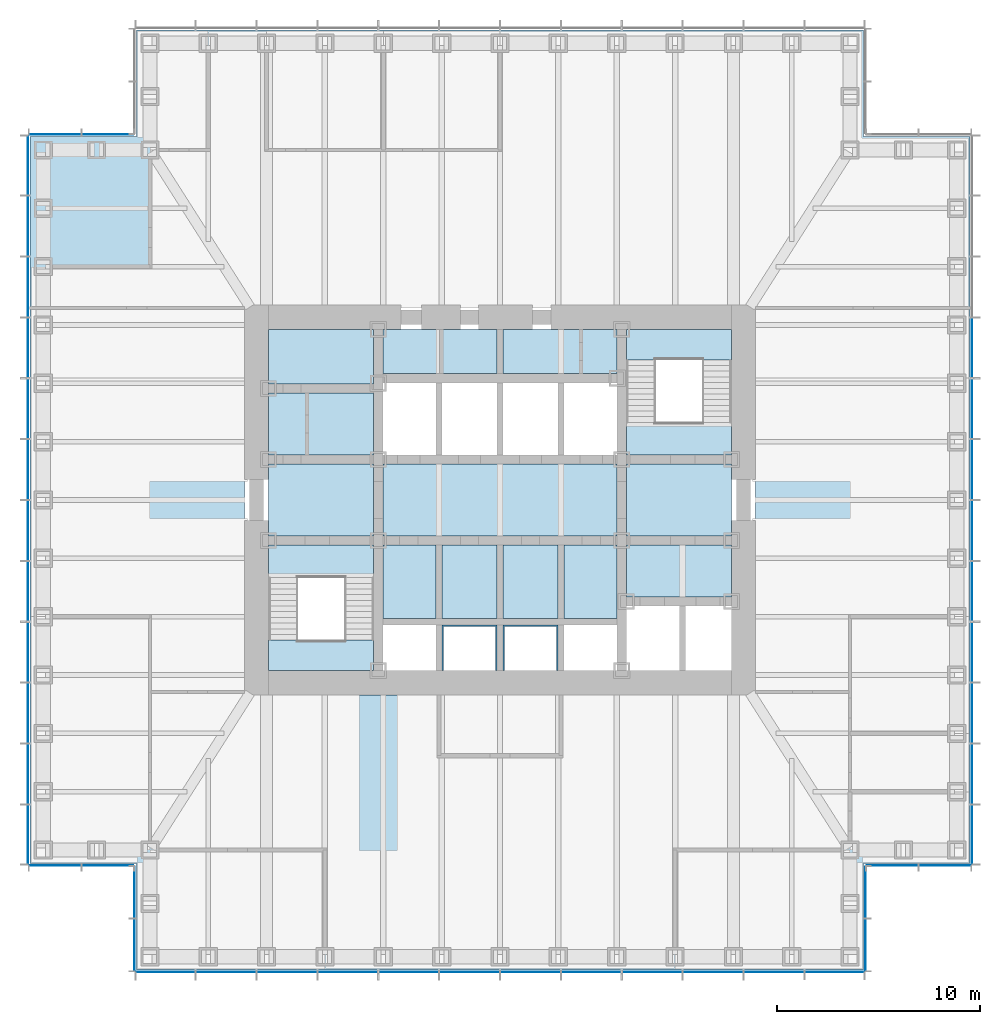
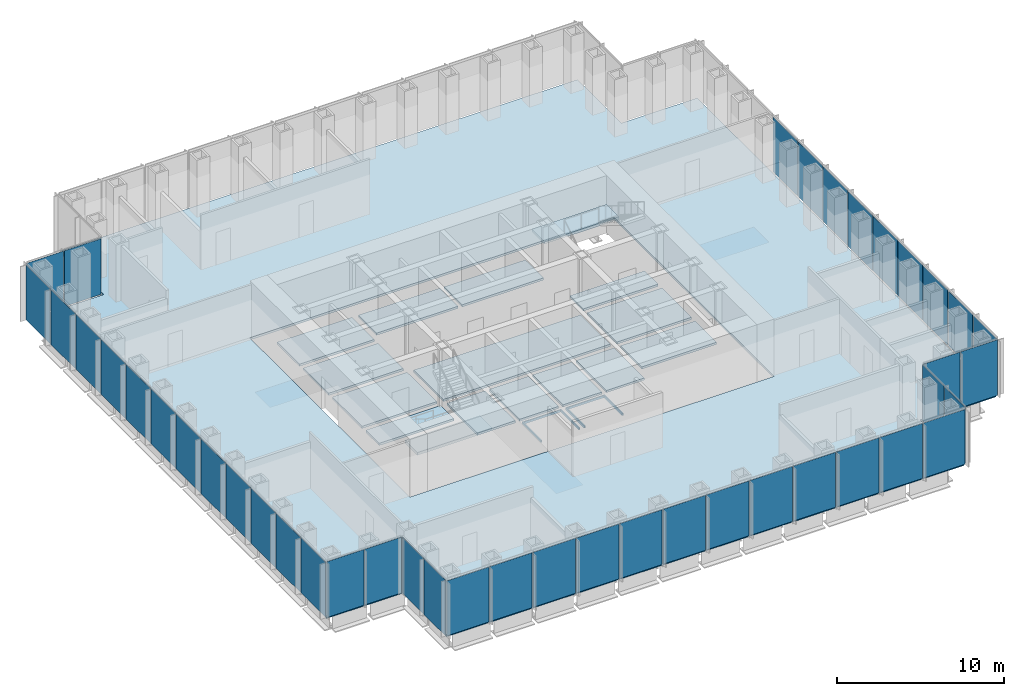
# One storey, part 7 of 16: 43 plates, 19 slabs, 10 elements without a shape of their own.
"""IFC4 building model written with IfcOpenShell, lengths in metres."""

from ifc_helpers import new_model, si_unit, direction, frame, origin, origin_2d, place, context, subcontext, project, spatial, polyline, rectangle, outline, extrude, material, layer, layer_set, type_object, element, aggregate, save


model = new_model("IFC4")

# Units and contexts
model_context = context("Model", 3, precision=1e-05, world=origin(), true_north=direction((0.0, 1.0)))
body_context = subcontext(model_context, "Body", "Model", "MODEL_VIEW")
ifc_project = project(units=[si_unit("LENGTHUNIT", "METRE"), si_unit("AREAUNIT", "SQUARE_METRE"), si_unit("VOLUMEUNIT", "CUBIC_METRE"), si_unit("PLANEANGLEUNIT", "RADIAN"), si_unit("MASSUNIT", "GRAM", prefix="KILO")], contexts=[model_context])

# Site, building, storey
site_placement = place(None, origin())
site = spatial("IfcSite", under=ifc_project, at=site_placement, CompositionType="ELEMENT")
building_placement = place(site_placement, origin())
building = spatial("IfcBuilding", under=site, at=building_placement, Name="Daluyong Arena Tower", CompositionType="ELEMENT")
storey_placement = place(building_placement, frame((0.0, 0.0, 141.699951171875)))
storey = spatial("IfcBuildingStorey", under=building, at=storey_placement, Name="L31", CompositionType="ELEMENT", Elevation=141.699951171875)

# Curtain wall, plates
ifc_material_1 = material(Name="Bronze anodised aluminium and glass", Category="aluminium")
curtain_wall_type_1 = type_object("IfcCurtainWallType", Name="Curtain wall CW2", PredefinedType="USERDEFINED", material=ifc_material_1)
curtain_wall_1_placement = place(storey_placement, origin())
curtain_wall_1 = element("IfcCurtainWall", 1, at=curtain_wall_1_placement, inside=storey, type_object=curtain_wall_type_1, Name="curtain wall L31 S", ObjectType="UNITISED CURTAIN WALL", PredefinedType="USERDEFINED")
ifc_material_2 = material(Name="Tinted double glazed unit", Category="glass")
ifc_layer_1 = layer(ifc_material_2, 0.031982421875)
ifc_layer_set_1 = layer_set([ifc_layer_1], Name="Tinted double glazed unit")
plate_type_1 = type_object("IfcPlateType", Name="CW2 panel 32", PredefinedType="CURTAIN_PANEL", material=ifc_layer_set_1)
plate_1_placement = place(storey_placement, frame((39.52001953125, 56.75, 0.0), z_axis=(0.0, 0.0, 1.0), x_axis=(1.0, 0.0, 0.0)))
plate_1 = element("IfcPlate", 2, at=plate_1_placement, type_object=plate_type_1, Name="curtain wall L31 S panel 1", PredefinedType="CURTAIN_PANEL", context=body_context, shape_type="SweptSolid", body=[
    extrude(rectangle(XDim=2.8798828125, YDim=0.031982421875, at=origin_2d()), origin(), (0.0, 0.0, 1.0), 4.02001953125),
])
plate_2_placement = place(storey_placement, frame((42.5, 56.75, 0.0), z_axis=(0.0, 0.0, 1.0), x_axis=(1.0, 0.0, 0.0)))
plate_2 = element("IfcPlate", 3, at=plate_2_placement, type_object=plate_type_1, Name="curtain wall L31 S panel 2", PredefinedType="CURTAIN_PANEL", context=body_context, shape_type="SweptSolid", body=[
    extrude(rectangle(XDim=2.919921875, YDim=0.031982421875, at=origin_2d()), origin(), (0.0, 0.0, 1.0), 4.02001953125),
])
plate_3_placement = place(storey_placement, frame((45.5, 56.75, 0.0), z_axis=(0.0, 0.0, 1.0), x_axis=(1.0, 0.0, 0.0)))
plate_3 = element("IfcPlate", 4, at=plate_3_placement, type_object=plate_type_1, Name="curtain wall L31 S panel 3", PredefinedType="CURTAIN_PANEL", context=body_context, shape_type="SweptSolid", body=[
    extrude(rectangle(XDim=2.919921875, YDim=0.031982421875, at=origin_2d()), origin(), (0.0, 0.0, 1.0), 4.02001953125),
])
plate_4_placement = place(storey_placement, frame((48.5, 56.75, 0.0), z_axis=(0.0, 0.0, 1.0), x_axis=(1.0, 0.0, 0.0)))
plate_4 = element("IfcPlate", 5, at=plate_4_placement, type_object=plate_type_1, Name="curtain wall L31 S panel 4", PredefinedType="CURTAIN_PANEL", context=body_context, shape_type="SweptSolid", body=[
    extrude(rectangle(XDim=2.919921875, YDim=0.031982421875, at=origin_2d()), origin(), (0.0, 0.0, 1.0), 4.02001953125),
])
plate_5_placement = place(storey_placement, frame((51.5, 56.75, 0.0), z_axis=(0.0, 0.0, 1.0), x_axis=(1.0, 0.0, 0.0)))
plate_5 = element("IfcPlate", 6, at=plate_5_placement, type_object=plate_type_1, Name="curtain wall L31 S panel 5", PredefinedType="CURTAIN_PANEL", context=body_context, shape_type="SweptSolid", body=[
    extrude(rectangle(XDim=2.919921875, YDim=0.031982421875, at=origin_2d()), origin(), (0.0, 0.0, 1.0), 4.02001953125),
])
plate_6_placement = place(storey_placement, frame((54.5, 56.75, 0.0), z_axis=(0.0, 0.0, 1.0), x_axis=(1.0, 0.0, 0.0)))
plate_6 = element("IfcPlate", 7, at=plate_6_placement, type_object=plate_type_1, Name="curtain wall L31 S panel 6", PredefinedType="CURTAIN_PANEL", context=body_context, shape_type="SweptSolid", body=[
    extrude(rectangle(XDim=2.919921875, YDim=0.031982421875, at=origin_2d()), origin(), (0.0, 0.0, 1.0), 4.02001953125),
])
plate_7_placement = place(storey_placement, frame((57.5, 56.75, 0.0), z_axis=(0.0, 0.0, 1.0), x_axis=(1.0, 0.0, 0.0)))
plate_7 = element("IfcPlate", 8, at=plate_7_placement, type_object=plate_type_1, Name="curtain wall L31 S panel 7", PredefinedType="CURTAIN_PANEL", context=body_context, shape_type="SweptSolid", body=[
    extrude(rectangle(XDim=2.919921875, YDim=0.031982421875, at=origin_2d()), origin(), (0.0, 0.0, 1.0), 4.02001953125),
])
plate_8_placement = place(storey_placement, frame((60.5, 56.75, 0.0), z_axis=(0.0, 0.0, 1.0), x_axis=(1.0, 0.0, 0.0)))
plate_8 = element("IfcPlate", 9, at=plate_8_placement, type_object=plate_type_1, Name="curtain wall L31 S panel 8", PredefinedType="CURTAIN_PANEL", context=body_context, shape_type="SweptSolid", body=[
    extrude(rectangle(XDim=2.919921875, YDim=0.031982421875, at=origin_2d()), origin(), (0.0, 0.0, 1.0), 4.02001953125),
])
plate_9_placement = place(storey_placement, frame((63.5, 56.75, 0.0), z_axis=(0.0, 0.0, 1.0), x_axis=(1.0, 0.0, 0.0)))
plate_9 = element("IfcPlate", 10, at=plate_9_placement, type_object=plate_type_1, Name="curtain wall L31 S panel 9", PredefinedType="CURTAIN_PANEL", context=body_context, shape_type="SweptSolid", body=[
    extrude(rectangle(XDim=2.919921875, YDim=0.031982421875, at=origin_2d()), origin(), (0.0, 0.0, 1.0), 4.02001953125),
])
plate_10_placement = place(storey_placement, frame((66.5, 56.75, 0.0), z_axis=(0.0, 0.0, 1.0), x_axis=(1.0, 0.0, 0.0)))
plate_10 = element("IfcPlate", 11, at=plate_10_placement, type_object=plate_type_1, Name="curtain wall L31 S panel 10", PredefinedType="CURTAIN_PANEL", context=body_context, shape_type="SweptSolid", body=[
    extrude(rectangle(XDim=2.919921875, YDim=0.031982421875, at=origin_2d()), origin(), (0.0, 0.0, 1.0), 4.02001953125),
])
plate_11_placement = place(storey_placement, frame((69.5, 56.75, 0.0), z_axis=(0.0, 0.0, 1.0), x_axis=(1.0, 0.0, 0.0)))
plate_11 = element("IfcPlate", 12, at=plate_11_placement, type_object=plate_type_1, Name="curtain wall L31 S panel 11", PredefinedType="CURTAIN_PANEL", context=body_context, shape_type="SweptSolid", body=[
    extrude(rectangle(XDim=2.919921875, YDim=0.031982421875, at=origin_2d()), origin(), (0.0, 0.0, 1.0), 4.02001953125),
])
plate_12_placement = place(storey_placement, frame((72.47998046875, 56.75, 0.0), z_axis=(0.0, 0.0, 1.0), x_axis=(1.0, 0.0, 0.0)))
plate_12 = element("IfcPlate", 13, at=plate_12_placement, type_object=plate_type_1, Name="curtain wall L31 S panel 12", PredefinedType="CURTAIN_PANEL", context=body_context, shape_type="SweptSolid", body=[
    extrude(rectangle(XDim=2.8798828125, YDim=0.031982421875, at=origin_2d()), origin(), (0.0, 0.0, 1.0), 4.02001953125),
])
aggregate(curtain_wall_1, [plate_1, plate_2, plate_3, plate_4, plate_5, plate_6, plate_7, plate_8, plate_9, plate_10, plate_11, plate_12])

curtain_wall_2_placement = place(storey_placement, origin())
curtain_wall_2 = element("IfcCurtainWall", 14, at=curtain_wall_2_placement, inside=storey, type_object=curtain_wall_type_1, Name="curtain wall L31 E", ObjectType="UNITISED CURTAIN WALL", PredefinedType="USERDEFINED")
plate_13_placement = place(storey_placement, frame((79.25, 63.52001953125, 0.0), z_axis=(0.0, 0.0, 1.0), x_axis=(0.0, 1.0, 0.0)))
plate_13 = element("IfcPlate", 15, at=plate_13_placement, type_object=plate_type_1, Name="curtain wall L31 E panel 1", PredefinedType="CURTAIN_PANEL", context=body_context, shape_type="SweptSolid", body=[
    extrude(rectangle(XDim=2.8798828125, YDim=0.031982421875, at=origin_2d()), origin(), (0.0, 0.0, 1.0), 4.02001953125),
])
plate_14_placement = place(storey_placement, frame((79.25, 66.5, 0.0), z_axis=(0.0, 0.0, 1.0), x_axis=(0.0, 1.0, 0.0)))
plate_14 = element("IfcPlate", 16, at=plate_14_placement, type_object=plate_type_1, Name="curtain wall L31 E panel 2", PredefinedType="CURTAIN_PANEL", context=body_context, shape_type="SweptSolid", body=[
    extrude(rectangle(XDim=2.919921875, YDim=0.031982421875, at=origin_2d()), origin(), (0.0, 0.0, 1.0), 4.02001953125),
])
plate_15_placement = place(storey_placement, frame((79.25, 69.5, 0.0), z_axis=(0.0, 0.0, 1.0), x_axis=(0.0, 1.0, 0.0)))
plate_15 = element("IfcPlate", 17, at=plate_15_placement, type_object=plate_type_1, Name="curtain wall L31 E panel 3", PredefinedType="CURTAIN_PANEL", context=body_context, shape_type="SweptSolid", body=[
    extrude(rectangle(XDim=2.919921875, YDim=0.031982421875, at=origin_2d()), origin(), (0.0, 0.0, 1.0), 4.02001953125),
])
plate_16_placement = place(storey_placement, frame((79.25, 72.5, 0.0), z_axis=(0.0, 0.0, 1.0), x_axis=(0.0, 1.0, 0.0)))
plate_16 = element("IfcPlate", 18, at=plate_16_placement, type_object=plate_type_1, Name="curtain wall L31 E panel 4", PredefinedType="CURTAIN_PANEL", context=body_context, shape_type="SweptSolid", body=[
    extrude(rectangle(XDim=2.919921875, YDim=0.031982421875, at=origin_2d()), origin(), (0.0, 0.0, 1.0), 4.02001953125),
])
plate_17_placement = place(storey_placement, frame((79.25, 75.5, 0.0), z_axis=(0.0, 0.0, 1.0), x_axis=(0.0, 1.0, 0.0)))
plate_17 = element("IfcPlate", 19, at=plate_17_placement, type_object=plate_type_1, Name="curtain wall L31 E panel 5", PredefinedType="CURTAIN_PANEL", context=body_context, shape_type="SweptSolid", body=[
    extrude(rectangle(XDim=2.919921875, YDim=0.031982421875, at=origin_2d()), origin(), (0.0, 0.0, 1.0), 4.02001953125),
])
plate_18_placement = place(storey_placement, frame((79.25, 78.5, 0.0), z_axis=(0.0, 0.0, 1.0), x_axis=(0.0, 1.0, 0.0)))
plate_18 = element("IfcPlate", 20, at=plate_18_placement, type_object=plate_type_1, Name="curtain wall L31 E panel 6", PredefinedType="CURTAIN_PANEL", context=body_context, shape_type="SweptSolid", body=[
    extrude(rectangle(XDim=2.919921875, YDim=0.031982421875, at=origin_2d()), origin(), (0.0, 0.0, 1.0), 4.02001953125),
])
plate_19_placement = place(storey_placement, frame((79.25, 81.5, 0.0), z_axis=(0.0, 0.0, 1.0), x_axis=(0.0, 1.0, 0.0)))
plate_19 = element("IfcPlate", 21, at=plate_19_placement, type_object=plate_type_1, Name="curtain wall L31 E panel 7", PredefinedType="CURTAIN_PANEL", context=body_context, shape_type="SweptSolid", body=[
    extrude(rectangle(XDim=2.919921875, YDim=0.031982421875, at=origin_2d()), origin(), (0.0, 0.0, 1.0), 4.02001953125),
])
plate_20_placement = place(storey_placement, frame((79.25, 84.5, 0.0), z_axis=(0.0, 0.0, 1.0), x_axis=(0.0, 1.0, 0.0)))
plate_20 = element("IfcPlate", 22, at=plate_20_placement, type_object=plate_type_1, Name="curtain wall L31 E panel 8", PredefinedType="CURTAIN_PANEL", context=body_context, shape_type="SweptSolid", body=[
    extrude(rectangle(XDim=2.919921875, YDim=0.031982421875, at=origin_2d()), origin(), (0.0, 0.0, 1.0), 4.02001953125),
])
plate_21_placement = place(storey_placement, frame((79.25, 87.5, 0.0), z_axis=(0.0, 0.0, 1.0), x_axis=(0.0, 1.0, 0.0)))
plate_21 = element("IfcPlate", 23, at=plate_21_placement, type_object=plate_type_1, Name="curtain wall L31 E panel 9", PredefinedType="CURTAIN_PANEL", context=body_context, shape_type="SweptSolid", body=[
    extrude(rectangle(XDim=2.919921875, YDim=0.031982421875, at=origin_2d()), origin(), (0.0, 0.0, 1.0), 4.02001953125),
])
aggregate(curtain_wall_2, [plate_13, plate_14, plate_15, plate_16, plate_17, plate_18, plate_19, plate_20, plate_21])

curtain_wall_3_placement = place(storey_placement, origin())
curtain_wall_3 = element("IfcCurtainWall", 24, at=curtain_wall_3_placement, inside=storey, type_object=curtain_wall_type_1, Name="curtain wall L31 W", ObjectType="UNITISED CURTAIN WALL", PredefinedType="USERDEFINED")
plate_22_placement = place(storey_placement, frame((32.75, 96.47998046875, 0.0), z_axis=(0.0, 0.0, 1.0), x_axis=(0.0, -1.0, 0.0)))
plate_22 = element("IfcPlate", 25, at=plate_22_placement, type_object=plate_type_1, Name="curtain wall L31 W panel 1", PredefinedType="CURTAIN_PANEL", context=body_context, shape_type="SweptSolid", body=[
    extrude(rectangle(XDim=2.8798828125, YDim=0.031982421875, at=origin_2d()), origin(), (0.0, 0.0, 1.0), 4.02001953125),
])
plate_23_placement = place(storey_placement, frame((32.75, 93.5, 0.0), z_axis=(0.0, 0.0, 1.0), x_axis=(0.0, -1.0, 0.0)))
plate_23 = element("IfcPlate", 26, at=plate_23_placement, type_object=plate_type_1, Name="curtain wall L31 W panel 2", PredefinedType="CURTAIN_PANEL", context=body_context, shape_type="SweptSolid", body=[
    extrude(rectangle(XDim=2.919921875, YDim=0.031982421875, at=origin_2d()), origin(), (0.0, 0.0, 1.0), 4.02001953125),
])
plate_24_placement = place(storey_placement, frame((32.75, 90.5, 0.0), z_axis=(0.0, 0.0, 1.0), x_axis=(0.0, -1.0, 0.0)))
plate_24 = element("IfcPlate", 27, at=plate_24_placement, type_object=plate_type_1, Name="curtain wall L31 W panel 3", PredefinedType="CURTAIN_PANEL", context=body_context, shape_type="SweptSolid", body=[
    extrude(rectangle(XDim=2.919921875, YDim=0.031982421875, at=origin_2d()), origin(), (0.0, 0.0, 1.0), 4.02001953125),
])
plate_25_placement = place(storey_placement, frame((32.75, 87.5, 0.0), z_axis=(0.0, 0.0, 1.0), x_axis=(0.0, -1.0, 0.0)))
plate_25 = element("IfcPlate", 28, at=plate_25_placement, type_object=plate_type_1, Name="curtain wall L31 W panel 4", PredefinedType="CURTAIN_PANEL", context=body_context, shape_type="SweptSolid", body=[
    extrude(rectangle(XDim=2.919921875, YDim=0.031982421875, at=origin_2d()), origin(), (0.0, 0.0, 1.0), 4.02001953125),
])
plate_26_placement = place(storey_placement, frame((32.75, 84.5, 0.0), z_axis=(0.0, 0.0, 1.0), x_axis=(0.0, -1.0, 0.0)))
plate_26 = element("IfcPlate", 29, at=plate_26_placement, type_object=plate_type_1, Name="curtain wall L31 W panel 5", PredefinedType="CURTAIN_PANEL", context=body_context, shape_type="SweptSolid", body=[
    extrude(rectangle(XDim=2.919921875, YDim=0.031982421875, at=origin_2d()), origin(), (0.0, 0.0, 1.0), 4.02001953125),
])
plate_27_placement = place(storey_placement, frame((32.75, 81.5, 0.0), z_axis=(0.0, 0.0, 1.0), x_axis=(0.0, -1.0, 0.0)))
plate_27 = element("IfcPlate", 30, at=plate_27_placement, type_object=plate_type_1, Name="curtain wall L31 W panel 6", PredefinedType="CURTAIN_PANEL", context=body_context, shape_type="SweptSolid", body=[
    extrude(rectangle(XDim=2.919921875, YDim=0.031982421875, at=origin_2d()), origin(), (0.0, 0.0, 1.0), 4.02001953125),
])
plate_28_placement = place(storey_placement, frame((32.75, 78.5, 0.0), z_axis=(0.0, 0.0, 1.0), x_axis=(0.0, -1.0, 0.0)))
plate_28 = element("IfcPlate", 31, at=plate_28_placement, type_object=plate_type_1, Name="curtain wall L31 W panel 7", PredefinedType="CURTAIN_PANEL", context=body_context, shape_type="SweptSolid", body=[
    extrude(rectangle(XDim=2.919921875, YDim=0.031982421875, at=origin_2d()), origin(), (0.0, 0.0, 1.0), 4.02001953125),
])
plate_29_placement = place(storey_placement, frame((32.75, 75.5, 0.0), z_axis=(0.0, 0.0, 1.0), x_axis=(0.0, -1.0, 0.0)))
plate_29 = element("IfcPlate", 32, at=plate_29_placement, type_object=plate_type_1, Name="curtain wall L31 W panel 8", PredefinedType="CURTAIN_PANEL", context=body_context, shape_type="SweptSolid", body=[
    extrude(rectangle(XDim=2.919921875, YDim=0.031982421875, at=origin_2d()), origin(), (0.0, 0.0, 1.0), 4.02001953125),
])
plate_30_placement = place(storey_placement, frame((32.75, 72.5, 0.0), z_axis=(0.0, 0.0, 1.0), x_axis=(0.0, -1.0, 0.0)))
plate_30 = element("IfcPlate", 33, at=plate_30_placement, type_object=plate_type_1, Name="curtain wall L31 W panel 9", PredefinedType="CURTAIN_PANEL", context=body_context, shape_type="SweptSolid", body=[
    extrude(rectangle(XDim=2.919921875, YDim=0.031982421875, at=origin_2d()), origin(), (0.0, 0.0, 1.0), 4.02001953125),
])
plate_31_placement = place(storey_placement, frame((32.75, 69.5, 0.0), z_axis=(0.0, 0.0, 1.0), x_axis=(0.0, -1.0, 0.0)))
plate_31 = element("IfcPlate", 34, at=plate_31_placement, type_object=plate_type_1, Name="curtain wall L31 W panel 10", PredefinedType="CURTAIN_PANEL", context=body_context, shape_type="SweptSolid", body=[
    extrude(rectangle(XDim=2.919921875, YDim=0.031982421875, at=origin_2d()), origin(), (0.0, 0.0, 1.0), 4.02001953125),
])
plate_32_placement = place(storey_placement, frame((32.75, 66.5, 0.0), z_axis=(0.0, 0.0, 1.0), x_axis=(0.0, -1.0, 0.0)))
plate_32 = element("IfcPlate", 35, at=plate_32_placement, type_object=plate_type_1, Name="curtain wall L31 W panel 11", PredefinedType="CURTAIN_PANEL", context=body_context, shape_type="SweptSolid", body=[
    extrude(rectangle(XDim=2.919921875, YDim=0.031982421875, at=origin_2d()), origin(), (0.0, 0.0, 1.0), 4.02001953125),
])
plate_33_placement = place(storey_placement, frame((32.75, 63.52001953125, 0.0), z_axis=(0.0, 0.0, 1.0), x_axis=(0.0, -1.0, 0.0)))
plate_33 = element("IfcPlate", 36, at=plate_33_placement, type_object=plate_type_1, Name="curtain wall L31 W panel 12", PredefinedType="CURTAIN_PANEL", context=body_context, shape_type="SweptSolid", body=[
    extrude(rectangle(XDim=2.8798828125, YDim=0.031982421875, at=origin_2d()), origin(), (0.0, 0.0, 1.0), 4.02001953125),
])
aggregate(curtain_wall_3, [plate_22, plate_23, plate_24, plate_25, plate_26, plate_27, plate_28, plate_29, plate_30, plate_31, plate_32, plate_33])

ifc_material_3 = material(Name="Bronze anodised aluminium and glass", Category="aluminium")
curtain_wall_type_2 = type_object("IfcCurtainWallType", Name="Curtain wall CW7", PredefinedType="USERDEFINED", material=ifc_material_3)
curtain_wall_4_placement = place(storey_placement, origin())
curtain_wall_4 = element("IfcCurtainWall", 37, at=curtain_wall_4_placement, inside=storey, type_object=curtain_wall_type_2, Name="curtain wall L31 SE-E", ObjectType="UNITISED CURTAIN WALL", PredefinedType="USERDEFINED")
ifc_material_4 = material(Name="Tinted double glazed unit", Category="glass")
ifc_layer_2 = layer(ifc_material_4, 0.028076171875)
ifc_layer_set_2 = layer_set([ifc_layer_2], Name="Tinted double glazed unit")
plate_type_2 = type_object("IfcPlateType", Name="CW7 panel 28", PredefinedType="CURTAIN_PANEL", material=ifc_layer_set_2)
plate_34_placement = place(storey_placement, frame((74.0, 58.077392578125, 0.0), z_axis=(0.0, 0.0, 1.0), x_axis=(0.0, 1.0, 0.0)))
plate_34 = element("IfcPlate", 38, at=plate_34_placement, type_object=plate_type_2, Name="curtain wall L31 SE-E panel 1", PredefinedType="CURTAIN_PANEL", context=body_context, shape_type="SweptSolid", body=[
    extrude(rectangle(XDim=2.534912109375, YDim=0.028076171875, at=origin_2d()), origin(), (0.0, 0.0, 1.0), 4.080078125),
])
plate_35_placement = place(storey_placement, frame((74.0, 60.672607421875, 0.0), z_axis=(0.0, 0.0, 1.0), x_axis=(0.0, 1.0, 0.0)))
plate_35 = element("IfcPlate", 39, at=plate_35_placement, type_object=plate_type_2, Name="curtain wall L31 SE-E panel 2", PredefinedType="CURTAIN_PANEL", context=body_context, shape_type="SweptSolid", body=[
    extrude(rectangle(XDim=2.534912109375, YDim=0.028076171875, at=origin_2d()), origin(), (0.0, 0.0, 1.0), 4.080078125),
])
aggregate(curtain_wall_4, [plate_34, plate_35])

curtain_wall_5_placement = place(storey_placement, origin())
curtain_wall_5 = element("IfcCurtainWall", 40, at=curtain_wall_5_placement, inside=storey, type_object=curtain_wall_type_2, Name="curtain wall L31 SE-S", ObjectType="UNITISED CURTAIN WALL", PredefinedType="USERDEFINED")
plate_36_placement = place(storey_placement, frame((75.327392578125, 62.0, 0.0), z_axis=(0.0, 0.0, 1.0), x_axis=(1.0, 0.0, 0.0)))
plate_36 = element("IfcPlate", 41, at=plate_36_placement, type_object=plate_type_2, Name="curtain wall L31 SE-S panel 1", PredefinedType="CURTAIN_PANEL", context=body_context, shape_type="SweptSolid", body=[
    extrude(rectangle(XDim=2.534912109375, YDim=0.028076171875, at=origin_2d()), origin(), (0.0, 0.0, 1.0), 4.080078125),
])
plate_37_placement = place(storey_placement, frame((77.922607421875, 62.0, 0.0), z_axis=(0.0, 0.0, 1.0), x_axis=(1.0, 0.0, 0.0)))
plate_37 = element("IfcPlate", 42, at=plate_37_placement, type_object=plate_type_2, Name="curtain wall L31 SE-S panel 2", PredefinedType="CURTAIN_PANEL", context=body_context, shape_type="SweptSolid", body=[
    extrude(rectangle(XDim=2.534912109375, YDim=0.028076171875, at=origin_2d()), origin(), (0.0, 0.0, 1.0), 4.080078125),
])
aggregate(curtain_wall_5, [plate_36, plate_37])

curtain_wall_6_placement = place(storey_placement, origin())
curtain_wall_6 = element("IfcCurtainWall", 43, at=curtain_wall_6_placement, inside=storey, type_object=curtain_wall_type_2, Name="curtain wall L31 NW-N", ObjectType="UNITISED CURTAIN WALL", PredefinedType="USERDEFINED")
plate_38_placement = place(storey_placement, frame((36.672607421875, 98.0, 0.0), z_axis=(0.0, 0.0, 1.0), x_axis=(-1.0, 0.0, 0.0)))
plate_38 = element("IfcPlate", 44, at=plate_38_placement, type_object=plate_type_2, Name="curtain wall L31 NW-N panel 1", PredefinedType="CURTAIN_PANEL", context=body_context, shape_type="SweptSolid", body=[
    extrude(rectangle(XDim=2.534912109375, YDim=0.028076171875, at=origin_2d()), origin(), (0.0, 0.0, 1.0), 4.080078125),
])
plate_39_placement = place(storey_placement, frame((34.077392578125, 98.0, 0.0), z_axis=(0.0, 0.0, 1.0), x_axis=(-1.0, 0.0, 0.0)))
plate_39 = element("IfcPlate", 45, at=plate_39_placement, type_object=plate_type_2, Name="curtain wall L31 NW-N panel 2", PredefinedType="CURTAIN_PANEL", context=body_context, shape_type="SweptSolid", body=[
    extrude(rectangle(XDim=2.534912109375, YDim=0.028076171875, at=origin_2d()), origin(), (0.0, 0.0, 1.0), 4.080078125),
])
aggregate(curtain_wall_6, [plate_38, plate_39])

curtain_wall_7_placement = place(storey_placement, origin())
curtain_wall_7 = element("IfcCurtainWall", 46, at=curtain_wall_7_placement, inside=storey, type_object=curtain_wall_type_2, Name="curtain wall L31 SW-S", ObjectType="UNITISED CURTAIN WALL", PredefinedType="USERDEFINED")
plate_40_placement = place(storey_placement, frame((34.077392578125, 62.0, 0.0), z_axis=(0.0, 0.0, 1.0), x_axis=(1.0, 0.0, 0.0)))
plate_40 = element("IfcPlate", 47, at=plate_40_placement, type_object=plate_type_2, Name="curtain wall L31 SW-S panel 1", PredefinedType="CURTAIN_PANEL", context=body_context, shape_type="SweptSolid", body=[
    extrude(rectangle(XDim=2.534912109375, YDim=0.028076171875, at=origin_2d()), origin(), (0.0, 0.0, 1.0), 4.080078125),
])
plate_41_placement = place(storey_placement, frame((36.672607421875, 62.0, 0.0), z_axis=(0.0, 0.0, 1.0), x_axis=(1.0, 0.0, 0.0)))
plate_41 = element("IfcPlate", 48, at=plate_41_placement, type_object=plate_type_2, Name="curtain wall L31 SW-S panel 2", PredefinedType="CURTAIN_PANEL", context=body_context, shape_type="SweptSolid", body=[
    extrude(rectangle(XDim=2.534912109375, YDim=0.028076171875, at=origin_2d()), origin(), (0.0, 0.0, 1.0), 4.080078125),
])
aggregate(curtain_wall_7, [plate_40, plate_41])

curtain_wall_8_placement = place(storey_placement, origin())
curtain_wall_8 = element("IfcCurtainWall", 49, at=curtain_wall_8_placement, inside=storey, type_object=curtain_wall_type_2, Name="curtain wall L31 SW-W", ObjectType="UNITISED CURTAIN WALL", PredefinedType="USERDEFINED")
plate_42_placement = place(storey_placement, frame((38.0, 60.672607421875, 0.0), z_axis=(0.0, 0.0, 1.0), x_axis=(0.0, -1.0, 0.0)))
plate_42 = element("IfcPlate", 50, at=plate_42_placement, type_object=plate_type_2, Name="curtain wall L31 SW-W panel 1", PredefinedType="CURTAIN_PANEL", context=body_context, shape_type="SweptSolid", body=[
    extrude(rectangle(XDim=2.534912109375, YDim=0.028076171875, at=origin_2d()), origin(), (0.0, 0.0, 1.0), 4.080078125),
])
plate_43_placement = place(storey_placement, frame((38.0, 58.077392578125, 0.0), z_axis=(0.0, 0.0, 1.0), x_axis=(0.0, -1.0, 0.0)))
plate_43 = element("IfcPlate", 51, at=plate_43_placement, type_object=plate_type_2, Name="curtain wall L31 SW-W panel 2", PredefinedType="CURTAIN_PANEL", context=body_context, shape_type="SweptSolid", body=[
    extrude(rectangle(XDim=2.534912109375, YDim=0.028076171875, at=origin_2d()), origin(), (0.0, 0.0, 1.0), 4.080078125),
])
aggregate(curtain_wall_8, [plate_42, plate_43])

# Stair, slab
ifc_material_5 = material(Name="Concrete fc' 35 MPa", Category="concrete")
stair_type = type_object("IfcStairType", Name="Core exit stair", PredefinedType="HALF_TURN_STAIR", material=ifc_material_5)
stair_1_placement = place(storey_placement, origin())
stair_1 = element("IfcStair", 52, at=stair_1_placement, inside=storey, type_object=stair_type, Name="exit stair A L31", PredefinedType="HALF_TURN_STAIR")
ifc_material_6 = material(Name="Concrete fc' 35 MPa", Category="concrete")
ifc_layer_3 = layer(ifc_material_6, 0.199951171875)
ifc_layer_set_3 = layer_set([ifc_layer_3], Name="Concrete fc' 35 MPa")
slab_type_1 = type_object("IfcSlabType", Name="Stair landing 200", PredefinedType="LANDING", material=ifc_layer_set_3)
slab_1_placement = place(storey_placement, frame((0.0, 0.0, 1.900146484375)))
slab_1 = element("IfcSlab", 53, at=slab_1_placement, type_object=slab_type_1, Name="STA landing 1", PredefinedType="LANDING", context=body_context, shape_type="SweptSolid", body=[
    extrude(outline(polyline([(44.60009765625, 71.60009765625), (49.77490234375, 71.60009765625), (49.77490234375, 73.094970703125), (44.60009765625, 73.094970703125), (44.60009765625, 71.60009765625)])), origin(), (0.0, 0.0, 1.0), 0.199951171875),
])
aggregate(stair_1, [slab_1])

stair_2_placement = place(storey_placement, origin())
stair_2 = element("IfcStair", 54, at=stair_2_placement, inside=storey, type_object=stair_type, Name="exit stair B L31", PredefinedType="HALF_TURN_STAIR")
slab_2_placement = place(storey_placement, frame((0.0, 0.0, 1.900146484375)))
slab_2 = element("IfcSlab", 55, at=slab_2_placement, type_object=slab_type_1, Name="STB landing 1", PredefinedType="LANDING", context=body_context, shape_type="SweptSolid", body=[
    extrude(outline(polyline([(62.22509765625, 86.905029296875), (67.39990234375, 86.905029296875), (67.39990234375, 88.39990234375), (62.22509765625, 88.39990234375), (62.22509765625, 86.905029296875)])), origin(), (0.0, 0.0, 1.0), 0.199951171875),
])
aggregate(stair_2, [slab_2])

# Slabs
ifc_material_7 = material(Name="Concrete fc' 35 MPa", Category="concrete")
ifc_layer_4 = layer(ifc_material_7, 0.159912109375)
ifc_layer_set_4 = layer_set([ifc_layer_4], Name="Concrete fc' 35 MPa")
slab_type_2 = type_object("IfcSlabType", Name="Tower floor slab 160", PredefinedType="FLOOR", material=ifc_layer_set_4)
slab_3_placement = place(storey_placement, frame((0.0, 0.0, -0.159912109375)))
element("IfcSlab", 56, at=slab_3_placement, inside=storey, type_object=slab_type_2, Name="floor L31 part 1", PredefinedType="FLOOR", context=body_context, shape_type="SweptSolid", body=[
    extrude(outline(polyline([(49.77490234375, 76.175048828125), (49.77490234375, 77.77490234375), (44.60009765625, 77.77490234375), (44.60009765625, 76.175048828125), (49.77490234375, 76.175048828125)])), origin(), (0.0, 0.0, 1.0), 0.159912109375),
])
slab_4_placement = place(storey_placement, frame((0.0, 0.0, -0.159912109375)))
element("IfcSlab", 57, at=slab_4_placement, inside=storey, type_object=slab_type_2, Name="floor L31 part 2", PredefinedType="FLOOR", context=body_context, shape_type="SweptSolid", body=[
    extrude(outline(polyline([(44.60009765625, 78.22509765625), (49.77490234375, 78.22509765625), (49.77490234375, 81.77490234375), (44.60009765625, 81.77490234375), (44.60009765625, 78.22509765625)])), origin(), (0.0, 0.0, 1.0), 0.159912109375),
])
slab_5_placement = place(storey_placement, frame((0.0, 0.0, -0.159912109375)))
element("IfcSlab", 58, at=slab_5_placement, inside=storey, type_object=slab_type_2, Name="floor L31 part 3", PredefinedType="FLOOR", context=body_context, shape_type="SweptSolid", body=[
    extrude(outline(polyline([(44.60009765625, 82.22509765625), (49.77490234375, 82.22509765625), (49.77490234375, 85.27490234375), (44.60009765625, 85.27490234375), (44.60009765625, 82.22509765625)])), origin(), (0.0, 0.0, 1.0), 0.159912109375),
])
slab_6_placement = place(storey_placement, frame((0.0, 0.0, -0.159912109375)))
element("IfcSlab", 59, at=slab_6_placement, inside=storey, type_object=slab_type_2, Name="floor L31 part 4", PredefinedType="FLOOR", context=body_context, shape_type="SweptSolid", body=[
    extrude(outline(polyline([(49.77490234375, 88.39990234375), (44.60009765625, 88.39990234375), (44.60009765625, 85.72509765625), (49.77490234375, 85.72509765625), (49.77490234375, 88.39990234375)])), origin(), (0.0, 0.0, 1.0), 0.159912109375),
])
slab_7_placement = place(storey_placement, frame((0.0, 0.0, -0.159912109375)))
element("IfcSlab", 60, at=slab_7_placement, inside=storey, type_object=slab_type_2, Name="floor L31 part 5", PredefinedType="FLOOR", context=body_context, shape_type="SweptSolid", body=[
    extrude(outline(polyline([(52.85009765625, 77.77490234375), (50.22509765625, 77.77490234375), (50.22509765625, 74.14990234375), (52.85009765625, 74.14990234375), (52.85009765625, 77.77490234375)])), origin(), (0.0, 0.0, 1.0), 0.159912109375),
])
slab_8_placement = place(storey_placement, frame((0.0, 0.0, -0.159912109375)))
element("IfcSlab", 61, at=slab_8_placement, inside=storey, type_object=slab_type_2, Name="floor L31 part 6", PredefinedType="FLOOR", context=body_context, shape_type="SweptSolid", body=[
    extrude(outline(polyline([(55.85009765625, 88.39990234375), (50.22509765625, 88.39990234375), (50.22509765625, 86.22509765625), (55.85009765625, 86.22509765625), (55.85009765625, 88.39990234375)])), origin(), (0.0, 0.0, 1.0), 0.159912109375),
])
slab_9_placement = place(storey_placement, frame((0.0, 0.0, -0.159912109375)))
element("IfcSlab", 62, at=slab_9_placement, inside=storey, type_object=slab_type_2, Name="floor L31 part 7", PredefinedType="FLOOR", context=body_context, shape_type="SweptSolid", body=[
    extrude(outline(polyline([(55.77490234375, 73.77490234375), (55.77490234375, 71.60009765625), (55.85009765625, 71.60009765625), (55.85009765625, 73.85009765625), (53.14990234375, 73.85009765625), (53.14990234375, 71.60009765625), (53.22509765625, 71.60009765625), (53.22509765625, 73.77490234375), (55.77490234375, 73.77490234375)])), origin(), (0.0, 0.0, 1.0), 0.159912109375),
])
slab_10_placement = place(storey_placement, frame((0.0, 0.0, -0.159912109375)))
element("IfcSlab", 63, at=slab_10_placement, inside=storey, type_object=slab_type_2, Name="floor L31 part 8", PredefinedType="FLOOR", context=body_context, shape_type="SweptSolid", body=[
    extrude(outline(polyline([(55.85009765625, 77.77490234375), (53.14990234375, 77.77490234375), (53.14990234375, 74.14990234375), (55.85009765625, 74.14990234375), (55.85009765625, 77.77490234375)])), origin(), (0.0, 0.0, 1.0), 0.159912109375),
])
slab_11_placement = place(storey_placement, frame((0.0, 0.0, -0.159912109375)))
element("IfcSlab", 64, at=slab_11_placement, inside=storey, type_object=slab_type_2, Name="floor L31 part 9", PredefinedType="FLOOR", context=body_context, shape_type="SweptSolid", body=[
    extrude(outline(polyline([(38.10009765625, 62.10009765625), (38.10009765625, 56.85009765625), (73.89990234375, 56.85009765625), (73.89990234375, 62.10009765625), (79.14990234375, 62.10009765625), (79.14990234375, 97.89990234375), (73.89990234375, 97.89990234375), (73.89990234375, 103.14990234375), (38.10009765625, 103.14990234375), (38.10009765625, 97.89990234375), (32.85009765625, 97.89990234375), (32.85009765625, 62.10009765625), (38.10009765625, 62.10009765625)]), holes=[polyline([(68.60009765625, 89.60009765625), (68.60009765625, 70.39990234375), (43.39990234375, 70.39990234375), (43.39990234375, 89.60009765625), (68.60009765625, 89.60009765625)])]), origin(), (0.0, 0.0, 1.0), 0.159912109375),
])
slab_12_placement = place(storey_placement, frame((0.0, 0.0, -0.159912109375)))
element("IfcSlab", 65, at=slab_12_placement, inside=storey, type_object=slab_type_2, Name="floor L31 part 10", PredefinedType="FLOOR", context=body_context, shape_type="SweptSolid", body=[
    extrude(outline(polyline([(61.77490234375, 78.22509765625), (61.77490234375, 81.77490234375), (50.22509765625, 81.77490234375), (50.22509765625, 78.22509765625), (61.77490234375, 78.22509765625)])), origin(), (0.0, 0.0, 1.0), 0.159912109375),
])
slab_13_placement = place(storey_placement, frame((0.0, 0.0, -0.159912109375)))
element("IfcSlab", 66, at=slab_13_placement, inside=storey, type_object=slab_type_2, Name="floor L31 part 11", PredefinedType="FLOOR", context=body_context, shape_type="SweptSolid", body=[
    extrude(outline(polyline([(58.85009765625, 71.60009765625), (58.85009765625, 73.85009765625), (56.14990234375, 73.85009765625), (56.14990234375, 71.60009765625), (56.22509765625, 71.60009765625), (56.22509765625, 73.77490234375), (58.77490234375, 73.77490234375), (58.77490234375, 71.60009765625), (58.85009765625, 71.60009765625)])), origin(), (0.0, 0.0, 1.0), 0.159912109375),
])
slab_14_placement = place(storey_placement, frame((0.0, 0.0, -0.159912109375)))
element("IfcSlab", 67, at=slab_14_placement, inside=storey, type_object=slab_type_2, Name="floor L31 part 12", PredefinedType="FLOOR", context=body_context, shape_type="SweptSolid", body=[
    extrude(outline(polyline([(58.85009765625, 77.77490234375), (56.14990234375, 77.77490234375), (56.14990234375, 74.14990234375), (58.85009765625, 74.14990234375), (58.85009765625, 77.77490234375)])), origin(), (0.0, 0.0, 1.0), 0.159912109375),
])
slab_15_placement = place(storey_placement, frame((0.0, 0.0, -0.159912109375)))
element("IfcSlab", 68, at=slab_15_placement, inside=storey, type_object=slab_type_2, Name="floor L31 part 13", PredefinedType="FLOOR", context=body_context, shape_type="SweptSolid", body=[
    extrude(outline(polyline([(56.14990234375, 88.39990234375), (56.14990234375, 86.22509765625), (61.77490234375, 86.22509765625), (61.77490234375, 88.39990234375), (56.14990234375, 88.39990234375)])), origin(), (0.0, 0.0, 1.0), 0.159912109375),
])
slab_16_placement = place(storey_placement, frame((0.0, 0.0, -0.159912109375)))
element("IfcSlab", 69, at=slab_16_placement, inside=storey, type_object=slab_type_2, Name="floor L31 part 14", PredefinedType="FLOOR", context=body_context, shape_type="SweptSolid", body=[
    extrude(outline(polyline([(59.14990234375, 77.77490234375), (59.14990234375, 74.14990234375), (61.77490234375, 74.14990234375), (61.77490234375, 77.77490234375), (59.14990234375, 77.77490234375)])), origin(), (0.0, 0.0, 1.0), 0.159912109375),
])
slab_17_placement = place(storey_placement, frame((0.0, 0.0, -0.159912109375)))
element("IfcSlab", 70, at=slab_17_placement, inside=storey, type_object=slab_type_2, Name="floor L31 part 15", PredefinedType="FLOOR", context=body_context, shape_type="SweptSolid", body=[
    extrude(outline(polyline([(62.22509765625, 75.22509765625), (67.39990234375, 75.22509765625), (67.39990234375, 77.77490234375), (62.22509765625, 77.77490234375), (62.22509765625, 75.22509765625)])), origin(), (0.0, 0.0, 1.0), 0.159912109375),
])
slab_18_placement = place(storey_placement, frame((0.0, 0.0, -0.159912109375)))
element("IfcSlab", 71, at=slab_18_placement, inside=storey, type_object=slab_type_2, Name="floor L31 part 16", PredefinedType="FLOOR", context=body_context, shape_type="SweptSolid", body=[
    extrude(outline(polyline([(62.22509765625, 78.22509765625), (67.39990234375, 78.22509765625), (67.39990234375, 81.77490234375), (62.22509765625, 81.77490234375), (62.22509765625, 78.22509765625)])), origin(), (0.0, 0.0, 1.0), 0.159912109375),
])
slab_19_placement = place(storey_placement, frame((0.0, 0.0, -0.159912109375)))
element("IfcSlab", 72, at=slab_19_placement, inside=storey, type_object=slab_type_2, Name="floor L31 part 17", PredefinedType="FLOOR", context=body_context, shape_type="SweptSolid", body=[
    extrude(outline(polyline([(62.22509765625, 82.22509765625), (67.39990234375, 82.22509765625), (67.39990234375, 83.824951171875), (62.22509765625, 83.824951171875), (62.22509765625, 82.22509765625)])), origin(), (0.0, 0.0, 1.0), 0.159912109375),
])

save(model, "model.ifc")
